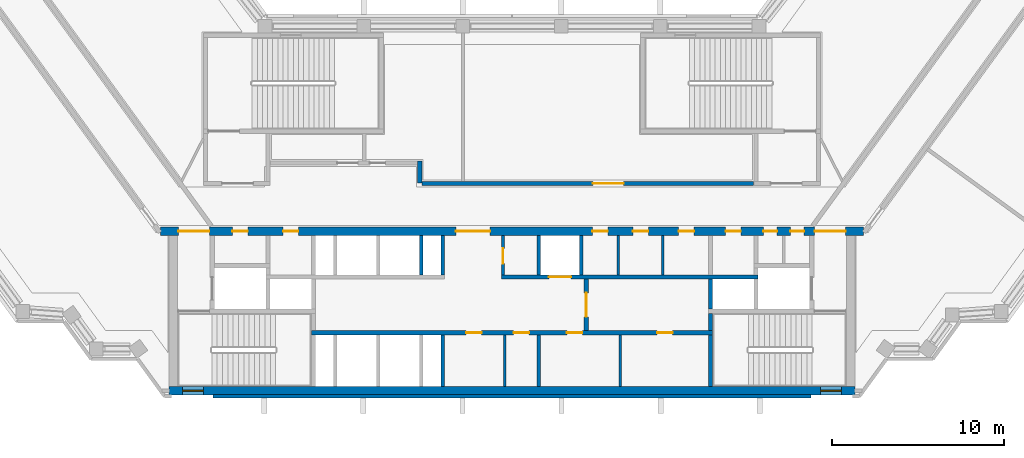
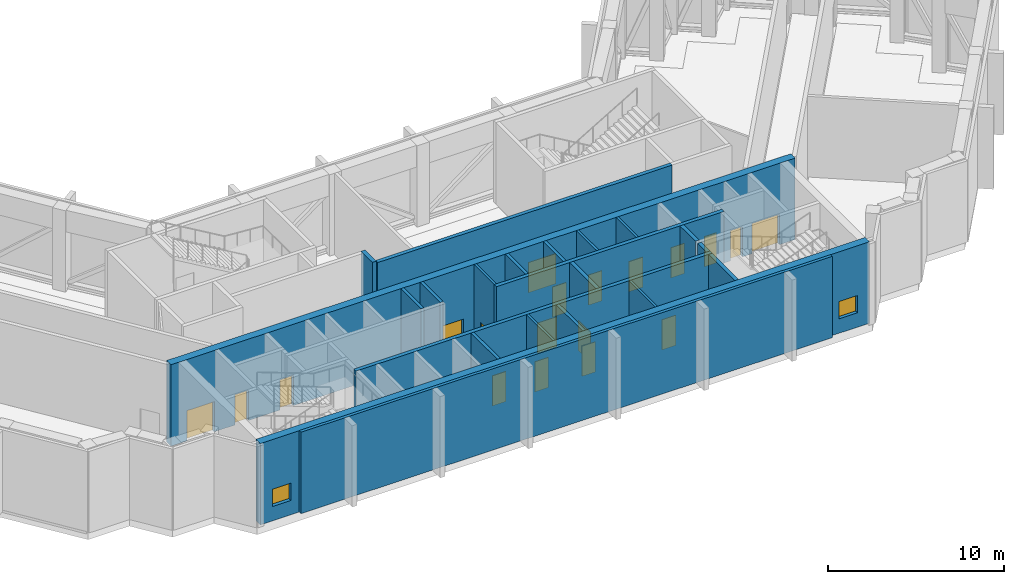
# One storey, part 10 of 15: 22 walls, 19 doors, 2 windows, 21 openings.
"""IFC4 building model written with IfcOpenShell, lengths in metres."""

from ifc_helpers import new_model, si_unit, direction, frame, frame_2d, origin, place, context, subcontext, project, spatial, rectangle, extrude, material, layer, layer_set, type_object, element, fill, save


model = new_model("IFC4")

# Units and contexts
model_context = context("Model", 3, precision=1e-05, world=origin(), true_north=direction((0.0, 1.0)))
body_context = subcontext(model_context, "Body", "Model", "MODEL_VIEW")
ifc_project = project(units=[si_unit("LENGTHUNIT", "METRE"), si_unit("AREAUNIT", "SQUARE_METRE"), si_unit("VOLUMEUNIT", "CUBIC_METRE"), si_unit("PLANEANGLEUNIT", "RADIAN"), si_unit("MASSUNIT", "GRAM", prefix="KILO")], contexts=[model_context])

# Site, building, storey
site_placement = place(None, origin())
site = spatial("IfcSite", under=ifc_project, at=site_placement, CompositionType="ELEMENT")
building_placement = place(site_placement, origin())
building = spatial("IfcBuilding", under=site, at=building_placement, Name="Quipu Civic Tower", CompositionType="ELEMENT")
storey_placement = place(building_placement, frame((0.0, 0.0, 301.0)))
storey = spatial("IfcBuildingStorey", under=building, at=storey_placement, Name="L70", CompositionType="ELEMENT", Elevation=301.0)

# Wall
ifc_material_1 = material(Name="Concrete C70/85", Category="concrete")
ifc_layer_1 = layer(ifc_material_1, 0.25)
ifc_layer_set_1 = layer_set([ifc_layer_1], Name="Concrete C70/85")
wall_type_1 = type_object("IfcWallType", Name="Core wall 250", PredefinedType="SHEAR", material=ifc_layer_set_1)
wall_1_placement = place(storey_placement, frame((11.574951171875, -10.5, 0.0), z_axis=(0.0, 0.0, 1.0), x_axis=(0.0, 1.0, 0.0)))
element("IfcWall", 1, at=wall_1_placement, inside=storey, type_object=wall_type_1, Name="Core wall", PredefinedType="SHEAR", context=body_context, shape_type="SweptSolid", body=[
    extrude(rectangle(XDim=3.0, YDim=0.25, at=frame_2d((1.5, 0.0))), origin(), (0.0, 0.0, 1.0), 5.64990234375),
])

# Wall, openings, doors
wall_2_placement = place(storey_placement, frame((11.699951171875, -7.375, 0.0), z_axis=(0.0, 0.0, 1.0), x_axis=(-1.0, 0.0, 0.0)))
wall_2 = element("IfcWall", 2, at=wall_2_placement, inside=storey, type_object=wall_type_1, Name="Core wall", PredefinedType="SHEAR", context=body_context, shape_type="SweptSolid", body=[
    extrude(rectangle(XDim=23.39990234375, YDim=0.25, at=frame_2d((11.699951171875, 0.0))), origin(), (0.0, 0.0, 1.0), 5.64990234375),
])
opening_1_placement = place(wall_2_placement, frame((13.47509765625, 0.0, 0.0)))
opening_1 = element("IfcOpeningElement", 3, at=opening_1_placement, cuts=wall_2, Name="Opening CD-01", PredefinedType="OPENING", context=body_context, shape_type="SweptSolid", body=[
    extrude(rectangle(XDim=0.89990234375, YDim=2.10009765625, at=frame_2d((0.449951171875, 1.050048828125))), frame((0.0, 0.135009765625, 0.0), z_axis=(0.0, -1.0, 0.0), x_axis=(1.0, 0.0, 0.0)), (0.0, 0.0, 1.0), 0.27001953125),
])
opening_2_placement = place(wall_2_placement, frame((10.699951171875, 0.0, 0.0)))
opening_2 = element("IfcOpeningElement", 4, at=opening_2_placement, cuts=wall_2, Name="Opening CD-02", PredefinedType="OPENING", context=body_context, shape_type="SweptSolid", body=[
    extrude(rectangle(XDim=0.89990234375, YDim=2.10009765625, at=frame_2d((0.449951171875, 1.050048828125))), frame((0.0, 0.135009765625, 0.0), z_axis=(0.0, -1.0, 0.0), x_axis=(1.0, 0.0, 0.0)), (0.0, 0.0, 1.0), 0.27001953125),
])
opening_3_placement = place(wall_2_placement, frame((7.60009765625, 0.0, 0.0)))
opening_3 = element("IfcOpeningElement", 5, at=opening_3_placement, cuts=wall_2, Name="Opening CD-03", PredefinedType="OPENING", context=body_context, shape_type="SweptSolid", body=[
    extrude(rectangle(XDim=0.89990234375, YDim=2.10009765625, at=frame_2d((0.449951171875, 1.050048828125))), frame((0.0, 0.135009765625, 0.0), z_axis=(0.0, -1.0, 0.0), x_axis=(1.0, 0.0, 0.0)), (0.0, 0.0, 1.0), 0.27001953125),
])
opening_4_placement = place(wall_2_placement, frame((2.337890625, 0.0, 0.0)))
opening_4 = element("IfcOpeningElement", 6, at=opening_4_placement, cuts=wall_2, Name="Opening CD-04", PredefinedType="OPENING", context=body_context, shape_type="SweptSolid", body=[
    extrude(rectangle(XDim=0.89990234375, YDim=2.10009765625, at=frame_2d((0.449951171875, 1.050048828125))), frame((0.0, 0.135009765625, 0.0), z_axis=(0.0, -1.0, 0.0), x_axis=(1.0, 0.0, 0.0)), (0.0, 0.0, 1.0), 0.27001953125),
])
ifc_material_2 = material(Name="Fire rated steel door", Category="steel")
door_type_1 = type_object("IfcDoorType", Name="Fire door FD60 900 x 2100", OperationType="NOTDEFINED", PredefinedType="DOOR", material=ifc_material_2)
door_1_placement = place(opening_1_placement, origin())
door_1 = element("IfcDoor", 7, at=door_1_placement, inside=storey, type_object=door_type_1, Name="Plant door", OperationType="SINGLE_SWING_RIGHT", OverallHeight=2.10009765625, OverallWidth=0.89990234375, PredefinedType="DOOR", context=body_context, shape_type="SweptSolid", body=[
    extrude(rectangle(XDim=0.89990234375, YDim=2.10009765625, at=frame_2d((0.449951171875, 1.050048828125))), frame((0.0, 0.02490234375, 0.0), z_axis=(0.0, -1.0, 0.0), x_axis=(1.0, 0.0, 0.0)), (0.0, 0.0, 1.0), 0.050048828125),
])
fill(opening_1, door_1)
door_2_placement = place(opening_2_placement, origin())
door_2 = element("IfcDoor", 8, at=door_2_placement, inside=storey, type_object=door_type_1, Name="Plant door", OperationType="SINGLE_SWING_LEFT", OverallHeight=2.10009765625, OverallWidth=0.89990234375, PredefinedType="DOOR", context=body_context, shape_type="SweptSolid", body=[
    extrude(rectangle(XDim=0.89990234375, YDim=2.10009765625, at=frame_2d((0.449951171875, 1.050048828125))), frame((0.0, 0.02490234375, 0.0), z_axis=(0.0, -1.0, 0.0), x_axis=(1.0, 0.0, 0.0)), (0.0, 0.0, 1.0), 0.050048828125),
])
fill(opening_2, door_2)
door_3_placement = place(opening_3_placement, origin())
door_3 = element("IfcDoor", 9, at=door_3_placement, inside=storey, type_object=door_type_1, Name="Door", OperationType="SINGLE_SWING_LEFT", OverallHeight=2.10009765625, OverallWidth=0.89990234375, PredefinedType="DOOR", context=body_context, shape_type="SweptSolid", body=[
    extrude(rectangle(XDim=0.89990234375, YDim=2.10009765625, at=frame_2d((0.449951171875, 1.050048828125))), frame((0.0, 0.02490234375, 0.0), z_axis=(0.0, -1.0, 0.0), x_axis=(1.0, 0.0, 0.0)), (0.0, 0.0, 1.0), 0.050048828125),
])
fill(opening_3, door_3)
door_4_placement = place(opening_4_placement, origin())
door_4 = element("IfcDoor", 10, at=door_4_placement, inside=storey, type_object=door_type_1, Name="Door", OperationType="SINGLE_SWING_LEFT", OverallHeight=2.10009765625, OverallWidth=0.89990234375, PredefinedType="DOOR", context=body_context, shape_type="SweptSolid", body=[
    extrude(rectangle(XDim=0.89990234375, YDim=2.10009765625, at=frame_2d((0.449951171875, 1.050048828125))), frame((0.0, 0.02490234375, 0.0), z_axis=(0.0, -1.0, 0.0), x_axis=(1.0, 0.0, 0.0)), (0.0, 0.0, 1.0), 0.050048828125),
])
fill(opening_4, door_4)

# Wall, opening, door
wall_3_placement = place(storey_placement, frame((4.324951171875, -7.25, 0.0), z_axis=(0.0, 0.0, 1.0), x_axis=(0.0, 1.0, 0.0)))
wall_3 = element("IfcWall", 11, at=wall_3_placement, inside=storey, type_object=wall_type_1, Name="Core wall", PredefinedType="SHEAR", context=body_context, shape_type="SweptSolid", body=[
    extrude(rectangle(XDim=3.0, YDim=0.25, at=frame_2d((1.5, 0.0))), origin(), (0.0, 0.0, 1.0), 5.64990234375),
])
opening_5_placement = place(wall_3_placement, frame((0.800048828125, 0.0, 0.0)))
opening_5 = element("IfcOpeningElement", 12, at=opening_5_placement, cuts=wall_3, Name="Opening CD-07", PredefinedType="OPENING", context=body_context, shape_type="SweptSolid", body=[
    extrude(rectangle(XDim=1.39990234375, YDim=2.10009765625, at=frame_2d((0.699951171875, 1.050048828125))), frame((0.0, 0.135009765625, 0.0), z_axis=(0.0, -1.0, 0.0), x_axis=(1.0, 0.0, 0.0)), (0.0, 0.0, 1.0), 0.27001953125),
])
ifc_material_3 = material(Name="Fire rated steel door", Category="steel")
door_type_2 = type_object("IfcDoorType", Name="Fire door FD60 double 1400 x 2100", OperationType="NOTDEFINED", PredefinedType="DOOR", material=ifc_material_3)
door_5_placement = place(opening_5_placement, origin())
door_5 = element("IfcDoor", 13, at=door_5_placement, inside=storey, type_object=door_type_2, Name="Hall door", OperationType="DOUBLE_DOOR_SINGLE_SWING", OverallHeight=2.10009765625, OverallWidth=1.39990234375, PredefinedType="DOOR", context=body_context, shape_type="SweptSolid", body=[
    extrude(rectangle(XDim=1.39990234375, YDim=2.10009765625, at=frame_2d((0.699951171875, 1.050048828125))), frame((0.0, 0.02490234375, 0.0), z_axis=(0.0, -1.0, 0.0), x_axis=(1.0, 0.0, 0.0)), (0.0, 0.0, 1.0), 0.050048828125),
])
fill(opening_5, door_5)

# Walls
wall_4_placement = place(storey_placement, frame((11.574951171875, -7.25, 0.0), z_axis=(0.0, 0.0, 1.0), x_axis=(0.0, 1.0, 0.0)))
element("IfcWall", 14, at=wall_4_placement, inside=storey, type_object=wall_type_1, Name="Core wall", PredefinedType="SHEAR", context=body_context, shape_type="SweptSolid", body=[
    extrude(rectangle(XDim=1.0, YDim=0.25, at=frame_2d((0.5, 0.0))), origin(), (0.0, 0.0, 1.0), 5.64990234375),
])
wall_5_placement = place(storey_placement, frame((11.574951171875, -6.0, 0.0), z_axis=(0.0, 0.0, 1.0), x_axis=(0.0, 1.0, 0.0)))
element("IfcWall", 15, at=wall_5_placement, inside=storey, type_object=wall_type_1, Name="Core wall", PredefinedType="SHEAR", context=body_context, shape_type="SweptSolid", body=[
    extrude(rectangle(XDim=1.75, YDim=0.25, at=frame_2d((0.875, 0.0))), origin(), (0.0, 0.0, 1.0), 5.64990234375),
])

# Wall, opening, door
wall_6_placement = place(storey_placement, frame((-0.60009765625, -4.125, 0.0), z_axis=(0.0, 0.0, 1.0), x_axis=(1.0, 0.0, 0.0)))
wall_6 = element("IfcWall", 16, at=wall_6_placement, inside=storey, type_object=wall_type_1, Name="Core wall", PredefinedType="SHEAR", context=body_context, shape_type="SweptSolid", body=[
    extrude(rectangle(XDim=14.9501953125, YDim=0.25, at=frame_2d((7.47509765625, 0.0))), origin(), (0.0, 0.0, 1.0), 5.64990234375),
])
opening_6_placement = place(wall_6_placement, frame((2.75, 0.0, 0.0)))
opening_6 = element("IfcOpeningElement", 17, at=opening_6_placement, cuts=wall_6, Name="Opening LD-FF3", PredefinedType="OPENING", context=body_context, shape_type="SweptSolid", body=[
    extrude(rectangle(XDim=1.300048828125, YDim=2.10009765625, at=frame_2d((0.64990234375, 1.050048828125))), frame((0.0, 0.135009765625, 0.0), z_axis=(0.0, -1.0, 0.0), x_axis=(1.0, 0.0, 0.0)), (0.0, 0.0, 1.0), 0.27001953125),
])
ifc_material_4 = material(Name="Stainless steel", Category="steel")
door_type_3 = type_object("IfcDoorType", Name="Lift landing door 1300 x 2100", OperationType="DOUBLE_DOOR_SLIDING", PredefinedType="DOOR", material=ifc_material_4)
door_6_placement = place(opening_6_placement, origin())
door_6 = element("IfcDoor", 18, at=door_6_placement, inside=storey, type_object=door_type_3, Name="Landing door FF3", OperationType="DOUBLE_DOOR_SLIDING", OverallHeight=2.10009765625, OverallWidth=1.300048828125, PredefinedType="DOOR", context=body_context, shape_type="SweptSolid", body=[
    extrude(rectangle(XDim=1.300048828125, YDim=2.10009765625, at=frame_2d((0.64990234375, 1.050048828125))), frame((0.0, 0.02490234375, 0.0), z_axis=(0.0, -1.0, 0.0), x_axis=(1.0, 0.0, 0.0)), (0.0, 0.0, 1.0), 0.050048828125),
])
fill(opening_6, door_6)

# Wall, openings, windows
ifc_material_5 = material(Name="Concrete C70/85", Category="concrete")
ifc_layer_2 = layer(ifc_material_5, 0.5)
ifc_layer_set_2 = layer_set([ifc_layer_2], Name="Concrete C70/85")
wall_type_2 = type_object("IfcWallType", Name="Core wall 500", PredefinedType="SHEAR", material=ifc_layer_set_2)
wall_7_placement = place(storey_placement, frame((-20.0, -10.75, 0.0), z_axis=(0.0, 0.0, 1.0), x_axis=(1.0, 0.0, 0.0)))
wall_7 = element("IfcWall", 19, at=wall_7_placement, inside=storey, type_object=wall_type_2, Name="Core wall", PredefinedType="SHEAR", context=body_context, shape_type="SweptSolid", body=[
    extrude(rectangle(XDim=40.0, YDim=0.5, at=frame_2d((20.0, 0.0))), origin(), (0.0, 0.0, 1.0), 5.64990234375),
])
opening_7_placement = place(wall_7_placement, frame((0.800048828125, 0.0, 1.0)))
opening_7 = element("IfcOpeningElement", 20, at=opening_7_placement, cuts=wall_7, Name="Opening SV-1", PredefinedType="OPENING", context=body_context, shape_type="SweptSolid", body=[
    extrude(rectangle(XDim=1.199951171875, YDim=1.199951171875, at=frame_2d((0.60009765625, 0.60009765625))), frame((0.0, 0.260009765625, 0.0), z_axis=(0.0, -1.0, 0.0), x_axis=(1.0, 0.0, 0.0)), (0.0, 0.0, 1.0), 0.52001953125),
])
opening_8_placement = place(wall_7_placement, frame((38.0, 0.0, 1.0)))
opening_8 = element("IfcOpeningElement", 21, at=opening_8_placement, cuts=wall_7, Name="Opening SV-2", PredefinedType="OPENING", context=body_context, shape_type="SweptSolid", body=[
    extrude(rectangle(XDim=1.199951171875, YDim=1.199951171875, at=frame_2d((0.60009765625, 0.60009765625))), frame((0.0, 0.260009765625, 0.0), z_axis=(0.0, -1.0, 0.0), x_axis=(1.0, 0.0, 0.0)), (0.0, 0.0, 1.0), 0.52001953125),
])
ifc_material_6 = material(Name="Aluminium louvre", Category="aluminium")
window_type = type_object("IfcWindowType", Name="Stair ventilation louvre 1200 x 1200", PartitioningType="SINGLE_PANEL", PredefinedType="WINDOW", material=ifc_material_6)
window_1_placement = place(opening_7_placement, origin())
window_1 = element("IfcWindow", 22, at=window_1_placement, inside=storey, type_object=window_type, Name="Stair ventilation opening", OverallHeight=1.199951171875, OverallWidth=1.199951171875, PartitioningType="SINGLE_PANEL", PredefinedType="WINDOW", context=body_context, shape_type="SweptSolid", body=[
    extrude(rectangle(XDim=1.199951171875, YDim=1.199951171875, at=frame_2d((0.60009765625, 0.60009765625))), frame((0.0, 0.030029296875, 0.0), z_axis=(0.0, -1.0, 0.0), x_axis=(1.0, 0.0, 0.0)), (0.0, 0.0, 1.0), 0.06005859375),
])
fill(opening_7, window_1)
window_2_placement = place(opening_8_placement, origin())
window_2 = element("IfcWindow", 23, at=window_2_placement, inside=storey, type_object=window_type, Name="Stair ventilation opening", OverallHeight=1.199951171875, OverallWidth=1.199951171875, PartitioningType="SINGLE_PANEL", PredefinedType="WINDOW", context=body_context, shape_type="SweptSolid", body=[
    extrude(rectangle(XDim=1.199951171875, YDim=1.199951171875, at=frame_2d((0.60009765625, 0.60009765625))), frame((0.0, 0.030029296875, 0.0), z_axis=(0.0, -1.0, 0.0), x_axis=(1.0, 0.0, 0.0)), (0.0, 0.0, 1.0), 0.06005859375),
])
fill(opening_8, window_2)

# Wall, openings, doors
wall_8_placement = place(storey_placement, frame((20.489990234375, -1.449951171875, 0.0), z_axis=(0.0, 0.0, 1.0), x_axis=(-1.0, 0.0, 0.0)))
wall_8 = element("IfcWall", 24, at=wall_8_placement, inside=storey, type_object=wall_type_2, Name="Core wall", PredefinedType="SHEAR", context=body_context, shape_type="SweptSolid", body=[
    extrude(rectangle(XDim=40.97998046875, YDim=0.5, at=frame_2d((20.489990234375, 0.0))), origin(), (0.0, 0.0, 1.0), 5.64990234375),
])
opening_9_placement = place(wall_8_placement, frame((38.139892578125, 0.0, 0.0)))
opening_9 = element("IfcOpeningElement", 25, at=opening_9_placement, cuts=wall_8, Name="Opening CD-09", PredefinedType="OPENING", context=body_context, shape_type="SweptSolid", body=[
    extrude(rectangle(XDim=1.800048828125, YDim=2.10009765625, at=frame_2d((0.89990234375, 1.050048828125))), frame((0.0, 0.260009765625, 0.0), z_axis=(0.0, -1.0, 0.0), x_axis=(1.0, 0.0, 0.0)), (0.0, 0.0, 1.0), 0.52001953125),
])
opening_10_placement = place(wall_8_placement, frame((35.889892578125, 0.0, 0.0)))
opening_10 = element("IfcOpeningElement", 26, at=opening_10_placement, cuts=wall_8, Name="Opening CD-10", PredefinedType="OPENING", context=body_context, shape_type="SweptSolid", body=[
    extrude(rectangle(XDim=0.89990234375, YDim=2.10009765625, at=frame_2d((0.449951171875, 1.050048828125))), frame((0.0, 0.260009765625, 0.0), z_axis=(0.0, -1.0, 0.0), x_axis=(1.0, 0.0, 0.0)), (0.0, 0.0, 1.0), 0.52001953125),
])
opening_11_placement = place(wall_8_placement, frame((32.93994140625, 0.0, 0.0)))
opening_11 = element("IfcOpeningElement", 27, at=opening_11_placement, cuts=wall_8, Name="Opening CD-11", PredefinedType="OPENING", context=body_context, shape_type="SweptSolid", body=[
    extrude(rectangle(XDim=0.89990234375, YDim=2.10009765625, at=frame_2d((0.449951171875, 1.050048828125))), frame((0.0, 0.260009765625, 0.0), z_axis=(0.0, -1.0, 0.0), x_axis=(1.0, 0.0, 0.0)), (0.0, 0.0, 1.0), 0.52001953125),
])
opening_12_placement = place(wall_8_placement, frame((21.764892578125, 0.0, 0.0)))
opening_12 = element("IfcOpeningElement", 28, at=opening_12_placement, cuts=wall_8, Name="Opening CD-12", PredefinedType="OPENING", context=body_context, shape_type="SweptSolid", body=[
    extrude(rectangle(XDim=2.0, YDim=2.10009765625, at=frame_2d((1.0, 1.050048828125))), frame((0.0, 0.260009765625, 0.0), z_axis=(0.0, -1.0, 0.0), x_axis=(1.0, 0.0, 0.0)), (0.0, 0.0, 1.0), 0.52001953125),
])
opening_13_placement = place(wall_8_placement, frame((14.902587890625, 0.0, 0.0)))
opening_13 = element("IfcOpeningElement", 29, at=opening_13_placement, cuts=wall_8, Name="Opening CD-13", PredefinedType="OPENING", context=body_context, shape_type="SweptSolid", body=[
    extrude(rectangle(XDim=0.89990234375, YDim=2.10009765625, at=frame_2d((0.449951171875, 1.050048828125))), frame((0.0, 0.260009765625, 0.0), z_axis=(0.0, -1.0, 0.0), x_axis=(1.0, 0.0, 0.0)), (0.0, 0.0, 1.0), 0.52001953125),
])
opening_14_placement = place(wall_8_placement, frame((12.5400390625, 0.0, 0.0)))
opening_14 = element("IfcOpeningElement", 30, at=opening_14_placement, cuts=wall_8, Name="Opening CD-14", PredefinedType="OPENING", context=body_context, shape_type="SweptSolid", body=[
    extrude(rectangle(XDim=0.89990234375, YDim=2.10009765625, at=frame_2d((0.449951171875, 1.050048828125))), frame((0.0, 0.260009765625, 0.0), z_axis=(0.0, -1.0, 0.0), x_axis=(1.0, 0.0, 0.0)), (0.0, 0.0, 1.0), 0.52001953125),
])
opening_15_placement = place(wall_8_placement, frame((9.87744140625, 0.0, 0.0)))
opening_15 = element("IfcOpeningElement", 31, at=opening_15_placement, cuts=wall_8, Name="Opening CD-15", PredefinedType="OPENING", context=body_context, shape_type="SweptSolid", body=[
    extrude(rectangle(XDim=0.89990234375, YDim=2.10009765625, at=frame_2d((0.449951171875, 1.050048828125))), frame((0.0, 0.260009765625, 0.0), z_axis=(0.0, -1.0, 0.0), x_axis=(1.0, 0.0, 0.0)), (0.0, 0.0, 1.0), 0.52001953125),
])
opening_16_placement = place(wall_8_placement, frame((7.139892578125, 0.0, 0.0)))
opening_16 = element("IfcOpeningElement", 32, at=opening_16_placement, cuts=wall_8, Name="Opening CD-16", PredefinedType="OPENING", context=body_context, shape_type="SweptSolid", body=[
    extrude(rectangle(XDim=0.89990234375, YDim=2.10009765625, at=frame_2d((0.449951171875, 1.050048828125))), frame((0.0, 0.260009765625, 0.0), z_axis=(0.0, -1.0, 0.0), x_axis=(1.0, 0.0, 0.0)), (0.0, 0.0, 1.0), 0.52001953125),
])
opening_17_placement = place(wall_8_placement, frame((5.027587890625, 0.0, 0.0)))
opening_17 = element("IfcOpeningElement", 33, at=opening_17_placement, cuts=wall_8, Name="Opening CD-17", PredefinedType="OPENING", context=body_context, shape_type="SweptSolid", body=[
    extrude(rectangle(XDim=0.800048828125, YDim=2.10009765625, at=frame_2d((0.39990234375, 1.050048828125))), frame((0.0, 0.260009765625, 0.0), z_axis=(0.0, -1.0, 0.0), x_axis=(1.0, 0.0, 0.0)), (0.0, 0.0, 1.0), 0.52001953125),
])
opening_18_placement = place(wall_8_placement, frame((3.452392578125, 0.0, 0.0)))
opening_18 = element("IfcOpeningElement", 34, at=opening_18_placement, cuts=wall_8, Name="Opening CD-18", PredefinedType="OPENING", context=body_context, shape_type="SweptSolid", body=[
    extrude(rectangle(XDim=0.800048828125, YDim=2.10009765625, at=frame_2d((0.39990234375, 1.050048828125))), frame((0.0, 0.260009765625, 0.0), z_axis=(0.0, -1.0, 0.0), x_axis=(1.0, 0.0, 0.0)), (0.0, 0.0, 1.0), 0.52001953125),
])
opening_19_placement = place(wall_8_placement, frame((1.0400390625, 0.0, 0.0)))
opening_19 = element("IfcOpeningElement", 35, at=opening_19_placement, cuts=wall_8, Name="Opening CD-19", PredefinedType="OPENING", context=body_context, shape_type="SweptSolid", body=[
    extrude(rectangle(XDim=1.800048828125, YDim=2.10009765625, at=frame_2d((0.89990234375, 1.050048828125))), frame((0.0, 0.260009765625, 0.0), z_axis=(0.0, -1.0, 0.0), x_axis=(1.0, 0.0, 0.0)), (0.0, 0.0, 1.0), 0.52001953125),
])
ifc_material_7 = material(Name="Fire rated steel door", Category="steel")
door_type_4 = type_object("IfcDoorType", Name="Fire door FD60 800 x 2100", OperationType="NOTDEFINED", PredefinedType="DOOR", material=ifc_material_7)
door_7_placement = place(opening_17_placement, origin())
door_7 = element("IfcDoor", 36, at=door_7_placement, inside=storey, type_object=door_type_4, Name="Door", OperationType="SINGLE_SWING_LEFT", OverallHeight=2.10009765625, OverallWidth=0.800048828125, PredefinedType="DOOR", context=body_context, shape_type="SweptSolid", body=[
    extrude(rectangle(XDim=0.800048828125, YDim=2.10009765625, at=frame_2d((0.39990234375, 1.050048828125))), frame((0.0, 0.02490234375, 0.0), z_axis=(0.0, -1.0, 0.0), x_axis=(1.0, 0.0, 0.0)), (0.0, 0.0, 1.0), 0.050048828125),
])
fill(opening_17, door_7)
door_8_placement = place(opening_18_placement, origin())
door_8 = element("IfcDoor", 37, at=door_8_placement, inside=storey, type_object=door_type_4, Name="Door", OperationType="SINGLE_SWING_LEFT", OverallHeight=2.10009765625, OverallWidth=0.800048828125, PredefinedType="DOOR", context=body_context, shape_type="SweptSolid", body=[
    extrude(rectangle(XDim=0.800048828125, YDim=2.10009765625, at=frame_2d((0.39990234375, 1.050048828125))), frame((0.0, 0.02490234375, 0.0), z_axis=(0.0, -1.0, 0.0), x_axis=(1.0, 0.0, 0.0)), (0.0, 0.0, 1.0), 0.050048828125),
])
fill(opening_18, door_8)
door_9_placement = place(opening_10_placement, origin())
door_9 = element("IfcDoor", 38, at=door_9_placement, inside=storey, type_object=door_type_1, Name="Door", OperationType="SINGLE_SWING_RIGHT", OverallHeight=2.10009765625, OverallWidth=0.89990234375, PredefinedType="DOOR", context=body_context, shape_type="SweptSolid", body=[
    extrude(rectangle(XDim=0.89990234375, YDim=2.10009765625, at=frame_2d((0.449951171875, 1.050048828125))), frame((0.0, 0.02490234375, 0.0), z_axis=(0.0, -1.0, 0.0), x_axis=(1.0, 0.0, 0.0)), (0.0, 0.0, 1.0), 0.050048828125),
])
fill(opening_10, door_9)
door_10_placement = place(opening_11_placement, origin())
door_10 = element("IfcDoor", 39, at=door_10_placement, inside=storey, type_object=door_type_1, Name="Riser door", OperationType="SINGLE_SWING_RIGHT", OverallHeight=2.10009765625, OverallWidth=0.89990234375, PredefinedType="DOOR", context=body_context, shape_type="SweptSolid", body=[
    extrude(rectangle(XDim=0.89990234375, YDim=2.10009765625, at=frame_2d((0.449951171875, 1.050048828125))), frame((0.0, 0.02490234375, 0.0), z_axis=(0.0, -1.0, 0.0), x_axis=(1.0, 0.0, 0.0)), (0.0, 0.0, 1.0), 0.050048828125),
])
fill(opening_11, door_10)
door_11_placement = place(opening_13_placement, origin())
door_11 = element("IfcDoor", 40, at=door_11_placement, inside=storey, type_object=door_type_1, Name="Door", OperationType="SINGLE_SWING_LEFT", OverallHeight=2.10009765625, OverallWidth=0.89990234375, PredefinedType="DOOR", context=body_context, shape_type="SweptSolid", body=[
    extrude(rectangle(XDim=0.89990234375, YDim=2.10009765625, at=frame_2d((0.449951171875, 1.050048828125))), frame((0.0, 0.02490234375, 0.0), z_axis=(0.0, -1.0, 0.0), x_axis=(1.0, 0.0, 0.0)), (0.0, 0.0, 1.0), 0.050048828125),
])
fill(opening_13, door_11)
door_12_placement = place(opening_14_placement, origin())
door_12 = element("IfcDoor", 41, at=door_12_placement, inside=storey, type_object=door_type_1, Name="Door", OperationType="SINGLE_SWING_LEFT", OverallHeight=2.10009765625, OverallWidth=0.89990234375, PredefinedType="DOOR", context=body_context, shape_type="SweptSolid", body=[
    extrude(rectangle(XDim=0.89990234375, YDim=2.10009765625, at=frame_2d((0.449951171875, 1.050048828125))), frame((0.0, 0.02490234375, 0.0), z_axis=(0.0, -1.0, 0.0), x_axis=(1.0, 0.0, 0.0)), (0.0, 0.0, 1.0), 0.050048828125),
])
fill(opening_14, door_12)
door_13_placement = place(opening_15_placement, origin())
door_13 = element("IfcDoor", 42, at=door_13_placement, inside=storey, type_object=door_type_1, Name="Door", OperationType="SINGLE_SWING_LEFT", OverallHeight=2.10009765625, OverallWidth=0.89990234375, PredefinedType="DOOR", context=body_context, shape_type="SweptSolid", body=[
    extrude(rectangle(XDim=0.89990234375, YDim=2.10009765625, at=frame_2d((0.449951171875, 1.050048828125))), frame((0.0, 0.02490234375, 0.0), z_axis=(0.0, -1.0, 0.0), x_axis=(1.0, 0.0, 0.0)), (0.0, 0.0, 1.0), 0.050048828125),
])
fill(opening_15, door_13)
door_14_placement = place(opening_16_placement, origin())
door_14 = element("IfcDoor", 43, at=door_14_placement, inside=storey, type_object=door_type_1, Name="Riser door", OperationType="SINGLE_SWING_LEFT", OverallHeight=2.10009765625, OverallWidth=0.89990234375, PredefinedType="DOOR", context=body_context, shape_type="SweptSolid", body=[
    extrude(rectangle(XDim=0.89990234375, YDim=2.10009765625, at=frame_2d((0.449951171875, 1.050048828125))), frame((0.0, 0.02490234375, 0.0), z_axis=(0.0, -1.0, 0.0), x_axis=(1.0, 0.0, 0.0)), (0.0, 0.0, 1.0), 0.050048828125),
])
fill(opening_16, door_14)
ifc_material_8 = material(Name="Fire rated steel door", Category="steel")
door_type_5 = type_object("IfcDoorType", Name="Fire door FD90 double 1800 x 2100", OperationType="NOTDEFINED", PredefinedType="DOOR", material=ifc_material_8)
door_15_placement = place(opening_9_placement, origin())
door_15 = element("IfcDoor", 44, at=door_15_placement, inside=storey, type_object=door_type_5, Name="Lobby door", OperationType="DOUBLE_DOOR_SINGLE_SWING", OverallHeight=2.10009765625, OverallWidth=1.800048828125, PredefinedType="DOOR", context=body_context, shape_type="SweptSolid", body=[
    extrude(rectangle(XDim=1.800048828125, YDim=2.10009765625, at=frame_2d((0.89990234375, 1.050048828125))), frame((0.0, 0.02490234375, 0.0), z_axis=(0.0, -1.0, 0.0), x_axis=(1.0, 0.0, 0.0)), (0.0, 0.0, 1.0), 0.050048828125),
])
fill(opening_9, door_15)
door_16_placement = place(opening_19_placement, origin())
door_16 = element("IfcDoor", 45, at=door_16_placement, inside=storey, type_object=door_type_5, Name="Lobby door", OperationType="DOUBLE_DOOR_SINGLE_SWING", OverallHeight=2.10009765625, OverallWidth=1.800048828125, PredefinedType="DOOR", context=body_context, shape_type="SweptSolid", body=[
    extrude(rectangle(XDim=1.800048828125, YDim=2.10009765625, at=frame_2d((0.89990234375, 1.050048828125))), frame((0.0, 0.02490234375, 0.0), z_axis=(0.0, -1.0, 0.0), x_axis=(1.0, 0.0, 0.0)), (0.0, 0.0, 1.0), 0.050048828125),
])
fill(opening_19, door_16)
ifc_material_9 = material(Name="Fire rated steel door", Category="steel")
door_type_6 = type_object("IfcDoorType", Name="Fire door FD90 double 2000 x 2100", OperationType="NOTDEFINED", PredefinedType="DOOR", material=ifc_material_9)
door_17_placement = place(opening_12_placement, origin())
door_17 = element("IfcDoor", 46, at=door_17_placement, inside=storey, type_object=door_type_6, Name="Lobby door", OperationType="DOUBLE_DOOR_SINGLE_SWING", OverallHeight=2.10009765625, OverallWidth=2.0, PredefinedType="DOOR", context=body_context, shape_type="SweptSolid", body=[
    extrude(rectangle(XDim=2.0, YDim=2.10009765625, at=frame_2d((1.0, 1.050048828125))), frame((0.0, 0.02490234375, 0.0), z_axis=(0.0, -1.0, 0.0), x_axis=(1.0, 0.0, 0.0)), (0.0, 0.0, 1.0), 0.050048828125),
])
fill(opening_12, door_17)

# Wall
ifc_material_10 = material(Name="Concrete C50/60", Category="concrete")
ifc_layer_3 = layer(ifc_material_10, 0.25)
ifc_layer_set_3 = layer_set([ifc_layer_3], Name="Concrete C50/60")
wall_type_3 = type_object("IfcWallType", Name="Corridor wall 250 concrete", PredefinedType="SOLIDWALL", material=ifc_layer_set_3)
wall_9_placement = place(storey_placement, frame((-5.375, 2.64990234375, 0.0), z_axis=(0.0, 0.0, 1.0), x_axis=(0.0, -1.0, 0.0)))
element("IfcWall", 47, at=wall_9_placement, inside=storey, type_object=wall_type_3, Name="Corridor wall C01", PredefinedType="SOLIDWALL", context=body_context, shape_type="SweptSolid", body=[
    extrude(rectangle(XDim=1.291259765625, YDim=0.25, at=frame_2d((0.6455078125, 0.0))), origin(), (0.0, 0.0, 1.0), 5.64990234375),
])

# Wall, opening, door
wall_10_placement = place(storey_placement, frame((-5.246337890625, 1.324951171875, 0.0), z_axis=(0.0, 0.0, 1.0), x_axis=(1.0, 0.0, 0.0)))
wall_10 = element("IfcWall", 48, at=wall_10_placement, inside=storey, type_object=wall_type_3, Name="Corridor wall C02", PredefinedType="SOLIDWALL", context=body_context, shape_type="SweptSolid", body=[
    extrude(rectangle(XDim=19.33642578125, YDim=0.25, at=frame_2d((9.668212890625, 0.0))), origin(), (0.0, 0.0, 1.0), 5.64990234375),
])
opening_20_placement = place(wall_10_placement, frame((9.957275390625, 0.0, 0.0)))
opening_20 = element("IfcOpeningElement", 49, at=opening_20_placement, cuts=wall_10, Name="Opening D006", PredefinedType="OPENING", context=body_context, shape_type="SweptSolid", body=[
    extrude(rectangle(XDim=1.800048828125, YDim=2.10009765625, at=frame_2d((0.89990234375, 1.050048828125))), frame((0.0, 0.135009765625, 0.0), z_axis=(0.0, -1.0, 0.0), x_axis=(1.0, 0.0, 0.0)), (0.0, 0.0, 1.0), 0.27001953125),
])
ifc_material_11 = material(Name="Fire rated timber door set with metal frame", Category="wood")
door_type_7 = type_object("IfcDoorType", Name="Double door 1800 x 2100 FD60", OperationType="DOUBLE_DOOR_SINGLE_SWING", PredefinedType="DOOR", material=ifc_material_11)
door_18_placement = place(opening_20_placement, origin())
door_18 = element("IfcDoor", 50, at=door_18_placement, inside=storey, type_object=door_type_7, Name="Door D006", OperationType="DOUBLE_DOOR_SINGLE_SWING", OverallHeight=2.10009765625, OverallWidth=1.800048828125, PredefinedType="DOOR", context=body_context, shape_type="SweptSolid", body=[
    extrude(rectangle(XDim=1.800048828125, YDim=2.10009765625, at=frame_2d((0.89990234375, 1.050048828125))), frame((0.0, 0.02490234375, 0.0), z_axis=(0.0, -1.0, 0.0), x_axis=(1.0, 0.0, 0.0)), (0.0, 0.0, 1.0), 0.050048828125),
])
fill(opening_20, door_18)

# Walls
ifc_material_12 = material(Name="Gypsum board partition")
ifc_layer_4 = layer(ifc_material_12, 0.14990234375)
ifc_layer_set_4 = layer_set([ifc_layer_4], Name="Gypsum board partition")
wall_type_4 = type_object("IfcWallType", Name="Partition 150", PredefinedType="PARTITIONING", material=ifc_layer_set_4)
for number, where, z_axis, x_axis, name in (
    (51, (-0.425048828125, -10.5, 0.0), (0.0, 0.0, 1.0), (0.0, 1.0, 0.0), "Partition"),
    (52, (6.300048828125, -10.5, 0.0), (0.0, 0.0, 1.0), (0.0, 1.0, 0.0), "Partition"),
):
    element("IfcWall", number, at=place(storey_placement, frame(where, z_axis=z_axis, x_axis=x_axis)), inside=storey, type_object=wall_type_4, Name=name, PredefinedType="PARTITIONING", context=body_context, shape_type="SweptSolid", body=[
        extrude(rectangle(XDim=3.0, YDim=0.14990234375, at=frame_2d((1.5, 0.0))), origin(), (0.0, 0.0, 1.0), 5.64990234375),
    ])

# Wall, opening, door
wall_11_placement = place(storey_placement, frame((-0.52490234375, -4.0, 0.0), z_axis=(0.0, 0.0, 1.0), x_axis=(0.0, 1.0, 0.0)))
wall_11 = element("IfcWall", 53, at=wall_11_placement, inside=storey, type_object=wall_type_4, Name="Partition", PredefinedType="PARTITIONING", context=body_context, shape_type="SweptSolid", body=[
    extrude(rectangle(XDim=2.300048828125, YDim=0.14990234375, at=frame_2d((1.14990234375, 0.0))), origin(), (0.0, 0.0, 1.0), 5.64990234375),
])
opening_21_placement = place(wall_11_placement, frame((0.64990234375, 0.0, 0.0)))
opening_21 = element("IfcOpeningElement", 54, at=opening_21_placement, cuts=wall_11, Name="Opening CD-08", PredefinedType="OPENING", context=body_context, shape_type="SweptSolid", body=[
    extrude(rectangle(XDim=0.89990234375, YDim=2.10009765625, at=frame_2d((0.449951171875, 1.050048828125))), frame((0.0, 0.0849609375, 0.0), z_axis=(0.0, -1.0, 0.0), x_axis=(1.0, 0.0, 0.0)), (0.0, 0.0, 1.0), 0.169921875),
])
door_19_placement = place(opening_21_placement, origin())
door_19 = element("IfcDoor", 55, at=door_19_placement, inside=storey, type_object=door_type_1, Name="WC door", OperationType="SINGLE_SWING_LEFT", OverallHeight=2.10009765625, OverallWidth=0.89990234375, PredefinedType="DOOR", context=body_context, shape_type="SweptSolid", body=[
    extrude(rectangle(XDim=0.89990234375, YDim=2.10009765625, at=frame_2d((0.449951171875, 1.050048828125))), frame((0.0, 0.02490234375, 0.0), z_axis=(0.0, -1.0, 0.0), x_axis=(1.0, 0.0, 0.0)), (0.0, 0.0, 1.0), 0.050048828125),
])
fill(opening_21, door_19)

# Walls
for number, where, z_axis, x_axis, name in (
    (56, (6.199951171875, -4.0, 0.0), (0.0, 0.0, 1.0), (0.0, 1.0, 0.0), "Partition"),
    (57, (8.800048828125, -4.0, 0.0), (0.0, 0.0, 1.0), (0.0, 1.0, 0.0), "Partition"),
):
    element("IfcWall", number, at=place(storey_placement, frame(where, z_axis=z_axis, x_axis=x_axis)), inside=storey, type_object=wall_type_4, Name=name, PredefinedType="PARTITIONING", context=body_context, shape_type="SweptSolid", body=[
        extrude(rectangle(XDim=2.300048828125, YDim=0.14990234375, at=frame_2d((1.14990234375, 0.0))), origin(), (0.0, 0.0, 1.0), 5.64990234375),
    ])
ifc_material_13 = material(Name="Precast concrete C40/50", Category="concrete")
wall_type_5 = type_object("IfcWallType", Name="Precast cladding wall", PredefinedType="SOLIDWALL", material=ifc_material_13)
wall_12_placement = place(storey_placement, frame((-17.44384765625, -11.087890625, 0.0), z_axis=(0.0, 0.0, 1.0), x_axis=(1.0, 0.0, 0.0)))
element("IfcWall", 58, at=wall_12_placement, inside=storey, type_object=wall_type_5, Name="Precast cladding wall L70 17", PredefinedType="SOLIDWALL", context=body_context, shape_type="SweptSolid", body=[
    extrude(rectangle(XDim=34.8876953125, YDim=0.199951171875, at=frame_2d((17.44384765625, 0.0))), origin(), (0.0, 0.0, 1.0), 5.64990234375),
])
ifc_material_14 = material(Name="Concrete C40/50", Category="concrete")
ifc_layer_5 = layer(ifc_material_14, 0.199951171875)
ifc_layer_set_5 = layer_set([ifc_layer_5], Name="Concrete C40/50")
wall_type_6 = type_object("IfcWallType", Name="Shaft wall 200", PredefinedType="SOLIDWALL", material=ifc_layer_set_5)
for number, where, z_axis, x_axis, name in (
    (59, (-4.050048828125, -10.5, 0.0), (0.0, 0.0, 1.0), (0.0, 1.0, 0.0), "Shaft wall"),
    (60, (1.550048828125, -10.5, 0.0), (0.0, 0.0, 1.0), (0.0, 1.0, 0.0), "Shaft wall"),
):
    element("IfcWall", number, at=place(storey_placement, frame(where, z_axis=z_axis, x_axis=x_axis)), inside=storey, type_object=wall_type_6, Name=name, PredefinedType="SOLIDWALL", context=body_context, shape_type="SweptSolid", body=[
        extrude(rectangle(XDim=3.0, YDim=0.199951171875, at=frame_2d((1.5, 0.0))), origin(), (0.0, 0.0, 1.0), 5.64990234375),
    ])
for number, where, z_axis, x_axis, name in (
    (61, (-5.300048828125, -4.0, 0.0), (0.0, 0.0, 1.0), (0.0, 1.0, 0.0), "Shaft wall"),
    (62, (-4.050048828125, -4.0, 0.0), (0.0, 0.0, 1.0), (0.0, 1.0, 0.0), "Shaft wall"),
    (63, (1.550048828125, -4.0, 0.0), (0.0, 0.0, 1.0), (0.0, 1.0, 0.0), "Shaft wall"),
    (64, (4.050048828125, -4.0, 0.0), (0.0, 0.0, 1.0), (0.0, 1.0, 0.0), "Shaft wall"),
):
    element("IfcWall", number, at=place(storey_placement, frame(where, z_axis=z_axis, x_axis=x_axis)), inside=storey, type_object=wall_type_6, Name=name, PredefinedType="SOLIDWALL", context=body_context, shape_type="SweptSolid", body=[
        extrude(rectangle(XDim=2.300048828125, YDim=0.199951171875, at=frame_2d((1.14990234375, 0.0))), origin(), (0.0, 0.0, 1.0), 5.64990234375),
    ])

save(model, "model.ifc")
